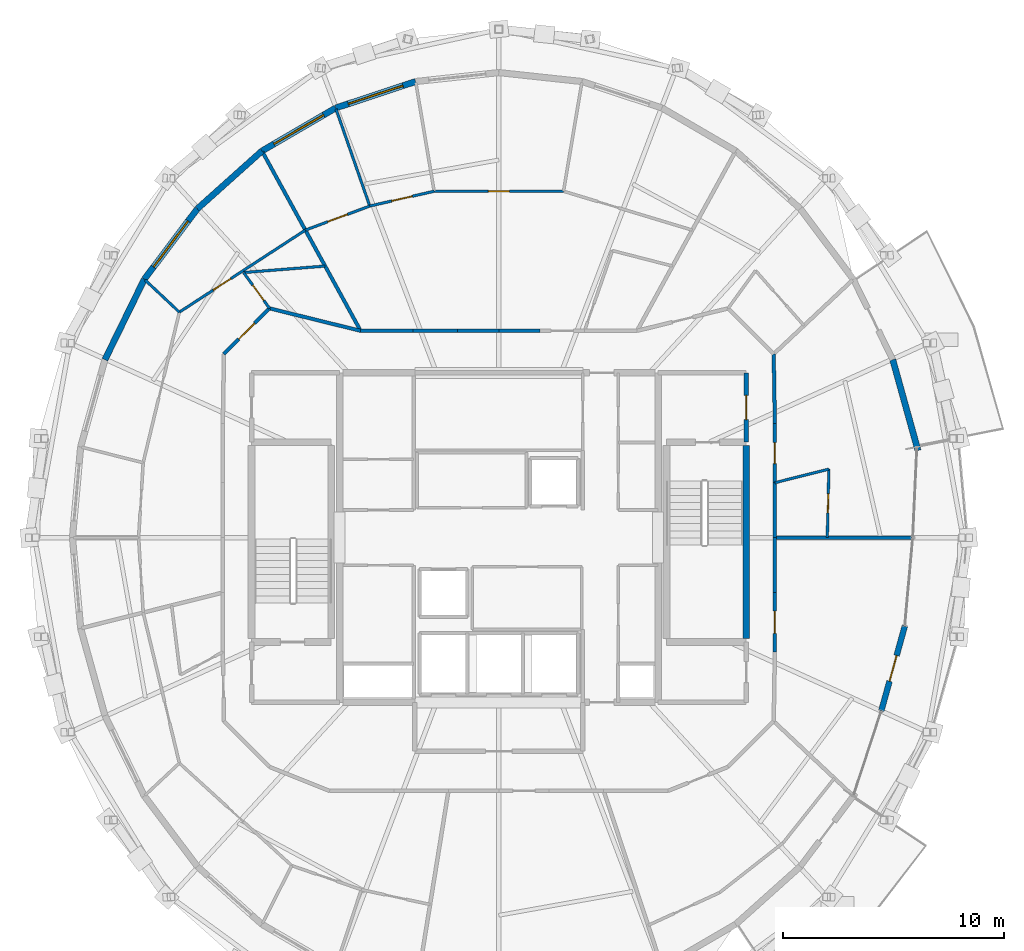
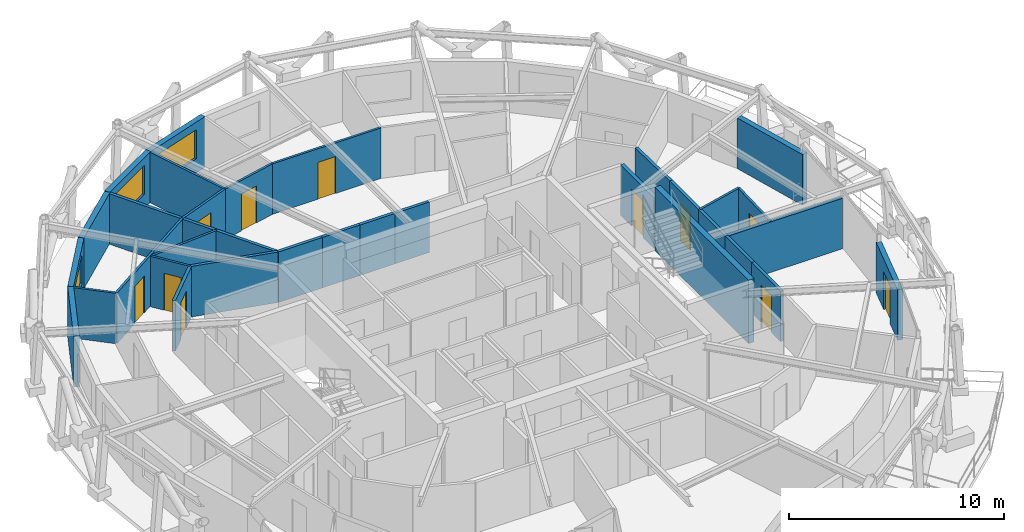
# One storey, part 10 of 12: 32 walls, 11 doors, 3 windows, 14 openings.
"""IFC4 building model written with IfcOpenShell, lengths in metres."""

from ifc_helpers import new_model, si_unit, direction, frame, frame_2d, origin, place, context, subcontext, project, spatial, rectangle, extrude, material, layer, layer_set, type_object, element, fill, save


model = new_model("IFC4")

# Units and contexts
model_context = context("Model", 3, precision=1e-05, world=origin(), true_north=direction((0.0, 1.0)))
body_context = subcontext(model_context, "Body", "Model", "MODEL_VIEW")
ifc_project = project(units=[si_unit("LENGTHUNIT", "METRE"), si_unit("AREAUNIT", "SQUARE_METRE"), si_unit("VOLUMEUNIT", "CUBIC_METRE"), si_unit("PLANEANGLEUNIT", "RADIAN"), si_unit("MASSUNIT", "GRAM", prefix="KILO")], contexts=[model_context])

# Site, building, storey
site_placement = place(None, origin())
site = spatial("IfcSite", under=ifc_project, at=site_placement, CompositionType="ELEMENT")
building_placement = place(site_placement, origin())
building = spatial("IfcBuilding", under=site, at=building_placement, Name="Veldorina Hangang Commons", CompositionType="ELEMENT")
storey_placement = place(building_placement, frame((0.0, 0.0, 272.39990234375)))
storey = spatial("IfcBuildingStorey", under=building, at=storey_placement, Name="L71", CompositionType="ELEMENT", Elevation=272.39990234375)

# Wall, opening, door
ifc_material_1 = material(Name="Stone Roman Travertine", Category="masonry")
ifc_layer_1 = layer(ifc_material_1, 0.260009765625)
ifc_layer_set_1 = layer_set([ifc_layer_1], Name="Stone Roman Travertine")
wall_type_1 = type_object("IfcWallType", Name="EW-LOGGIA-260", PredefinedType="STANDARD", material=ifc_layer_set_1)
wall_1_placement = place(storey_placement, frame((49.29150390625, 16.16845703125, 0.0), z_axis=(0.0, 0.0, 1.0), x_axis=(0.267356248741, 0.963597756462, 0.0)))
wall_1 = element("IfcWall", 1, at=wall_1_placement, inside=storey, type_object=wall_type_1, Name="L71 sky-garden loggia portal wall 30", PredefinedType="STANDARD", context=body_context, shape_type="SweptSolid", body=[
    extrude(rectangle(XDim=3.984130859375, YDim=0.260009765625, at=frame_2d((1.9921875, 0.0))), origin(), (0.0, 0.0, 1.0), 2.880126953125),
])
opening_1_placement = place(wall_1_placement, frame((1.39208984375, 0.0, 0.0)))
opening_1 = element("IfcOpeningElement", 2, at=opening_1_placement, cuts=wall_1, Name="Opening BD-1200", PredefinedType="OPENING", context=body_context, shape_type="SweptSolid", body=[
    extrude(rectangle(XDim=1.199951171875, YDim=2.14990234375, at=frame_2d((0.60009765625, 1.074951171875))), frame((0.0, 0.14013671875, 0.0), z_axis=(0.0, -1.0, 0.0), x_axis=(1.0, 0.0, 0.0)), (0.0, 0.0, 1.0), 0.280029296875),
])
ifc_material_2 = material(Name="Glass Thermal Aluminium Frame", Category="aluminium")
door_type_1 = type_object("IfcDoorType", Name="DR-EXT-LOG1200", OperationType="SINGLE_SWING_LEFT", PredefinedType="DOOR", material=ifc_material_2)
door_1_placement = place(opening_1_placement, origin())
door_1 = element("IfcDoor", 3, at=door_1_placement, inside=storey, type_object=door_type_1, Name="L71 loggia glazed exterior door 30", OperationType="SINGLE_SWING_LEFT", OverallHeight=2.14990234375, OverallWidth=1.199951171875, PredefinedType="DOOR", context=body_context, shape_type="SweptSolid", body=[
    extrude(rectangle(XDim=1.199951171875, YDim=2.14990234375, at=frame_2d((0.60009765625, 1.074951171875))), frame((0.0, 0.02490234375, 0.0), z_axis=(0.0, -1.0, 0.0), x_axis=(1.0, 0.0, 0.0)), (0.0, 0.0, 1.0), 0.050048828125),
])
fill(opening_1, door_1)

# Wall
ifc_layer_2 = layer(ifc_material_1, 0.280029296875)
ifc_layer_set_2 = layer_set([ifc_layer_2], Name="Stone Roman Travertine")
wall_type_2 = type_object("IfcWallType", Name="EW-TRAV-280", PredefinedType="STANDARD", material=ifc_layer_set_2)
wall_2_placement = place(storey_placement, frame((50.951416015625, 27.9384765625, 0.0), z_axis=(0.0, 0.0, 1.0), x_axis=(-0.26794510971, 0.963434179476, 0.0)))
element("IfcWall", 4, at=wall_2_placement, inside=storey, type_object=wall_type_2, Name="L71 travertine facade wall 01", PredefinedType="STANDARD", context=body_context, shape_type="SweptSolid", body=[
    extrude(rectangle(XDim=4.263427734375, YDim=0.280029296875, at=frame_2d((2.1318359375, 0.0))), origin(), (0.0, 0.0, 1.0), 2.880126953125),
])

# Wall, opening, window
wall_3_placement = place(storey_placement, frame((28.239501953125, 44.620849609375, 0.0), z_axis=(0.0, 0.0, 1.0), x_axis=(-0.949379621602, -0.314131077874, 0.0)))
wall_3 = element("IfcWall", 5, at=wall_3_placement, inside=storey, type_object=wall_type_2, Name="L71 travertine facade wall 09", PredefinedType="STANDARD", context=body_context, shape_type="SweptSolid", body=[
    extrude(rectangle(XDim=3.80908203125, YDim=0.280029296875, at=frame_2d((1.904541015625, 0.0))), origin(), (0.0, 0.0, 1.0), 2.880126953125),
])
opening_2_placement = place(wall_3_placement, frame((0.6044921875, 0.0, 0.800048828125)))
opening_2 = element("IfcOpeningElement", 6, at=opening_2_placement, cuts=wall_3, Name="Opening W-02", PredefinedType="OPENING", context=body_context, shape_type="SweptSolid", body=[
    extrude(rectangle(XDim=2.60009765625, YDim=1.64990234375, at=frame_2d((1.300048828125, 0.824951171875))), frame((0.0, 0.14990234375, 0.0), z_axis=(0.0, -1.0, 0.0), x_axis=(1.0, 0.0, 0.0)), (0.0, 0.0, 1.0), 0.300048828125),
])
ifc_material_3 = material(Name="Glass Low-E Triple IGU", Category="glass")
window_type = type_object("IfcWindowType", Name="WIN-TWR-2600", PartitioningType="SINGLE_PANEL", PredefinedType="WINDOW", material=ifc_material_3)
window_1_placement = place(opening_2_placement, origin())
window_1 = element("IfcWindow", 7, at=window_1_placement, inside=storey, type_object=window_type, Name="L71 facade window 09", OverallHeight=1.64990234375, OverallWidth=2.60009765625, PartitioningType="SINGLE_PANEL", PredefinedType="WINDOW", context=body_context, shape_type="SweptSolid", body=[
    extrude(rectangle(XDim=2.60009765625, YDim=1.64990234375, at=frame_2d((1.300048828125, 0.824951171875))), frame((0.0, 0.030029296875, 0.0), z_axis=(0.0, -1.0, 0.0), x_axis=(1.0, 0.0, 0.0)), (0.0, 0.0, 1.0), 0.06005859375),
])
fill(opening_2, window_1)

wall_4_placement = place(storey_placement, frame((24.623291015625, 43.42431640625, 0.0), z_axis=(0.0, 0.0, 1.0), x_axis=(-0.863902830528, -0.503658514677, 0.0)))
wall_4 = element("IfcWall", 8, at=wall_4_placement, inside=storey, type_object=wall_type_2, Name="L71 travertine facade wall 10", PredefinedType="STANDARD", context=body_context, shape_type="SweptSolid", body=[
    extrude(rectangle(XDim=3.857421875, YDim=0.280029296875, at=frame_2d((1.9287109375, 0.0))), origin(), (0.0, 0.0, 1.0), 2.880126953125),
])
opening_3_placement = place(wall_4_placement, frame((0.62890625, 0.0, 0.800048828125)))
opening_3 = element("IfcOpeningElement", 9, at=opening_3_placement, cuts=wall_4, Name="Opening W-02", PredefinedType="OPENING", context=body_context, shape_type="SweptSolid", body=[
    extrude(rectangle(XDim=2.60009765625, YDim=1.64990234375, at=frame_2d((1.300048828125, 0.824951171875))), frame((0.0, 0.14990234375, 0.0), z_axis=(0.0, -1.0, 0.0), x_axis=(1.0, 0.0, 0.0)), (0.0, 0.0, 1.0), 0.300048828125),
])
window_2_placement = place(opening_3_placement, origin())
window_2 = element("IfcWindow", 10, at=window_2_placement, inside=storey, type_object=window_type, Name="L71 facade window 10", OverallHeight=1.64990234375, OverallWidth=2.60009765625, PartitioningType="SINGLE_PANEL", PredefinedType="WINDOW", context=body_context, shape_type="SweptSolid", body=[
    extrude(rectangle(XDim=2.60009765625, YDim=1.64990234375, at=frame_2d((1.300048828125, 0.824951171875))), frame((0.0, 0.030029296875, 0.0), z_axis=(0.0, -1.0, 0.0), x_axis=(1.0, 0.0, 0.0)), (0.0, 0.0, 1.0), 0.06005859375),
])
fill(opening_3, window_2)

# Wall
wall_5_placement = place(storey_placement, frame((21.290771484375, 41.4814453125, 0.0), z_axis=(0.0, 0.0, 1.0), x_axis=(-0.745102858602, -0.666949570884, 0.0)))
element("IfcWall", 11, at=wall_5_placement, inside=storey, type_object=wall_type_2, Name="L71 travertine facade wall 11", PredefinedType="STANDARD", context=body_context, shape_type="SweptSolid", body=[
    extrude(rectangle(XDim=3.92041015625, YDim=0.280029296875, at=frame_2d((1.960205078125, 0.0))), origin(), (0.0, 0.0, 1.0), 2.880126953125),
])

# Wall, opening, window
wall_6_placement = place(storey_placement, frame((18.36962890625, 38.86669921875, 0.0), z_axis=(0.0, 0.0, 1.0), x_axis=(-0.601263134617, -0.799051089074, 0.0)))
wall_6 = element("IfcWall", 12, at=wall_6_placement, inside=storey, type_object=wall_type_2, Name="L71 travertine facade wall 12", PredefinedType="STANDARD", context=body_context, shape_type="SweptSolid", body=[
    extrude(rectangle(XDim=3.987060546875, YDim=0.280029296875, at=frame_2d((1.99365234375, 0.0))), origin(), (0.0, 0.0, 1.0), 2.880126953125),
])
opening_4_placement = place(wall_6_placement, frame((0.693603515625, 0.0, 0.800048828125)))
opening_4 = element("IfcOpeningElement", 13, at=opening_4_placement, cuts=wall_6, Name="Opening W-02", PredefinedType="OPENING", context=body_context, shape_type="SweptSolid", body=[
    extrude(rectangle(XDim=2.60009765625, YDim=1.64990234375, at=frame_2d((1.300048828125, 0.824951171875))), frame((0.0, 0.14990234375, 0.0), z_axis=(0.0, -1.0, 0.0), x_axis=(1.0, 0.0, 0.0)), (0.0, 0.0, 1.0), 0.300048828125),
])
window_3_placement = place(opening_4_placement, origin())
window_3 = element("IfcWindow", 14, at=window_3_placement, inside=storey, type_object=window_type, Name="L71 facade window 12", OverallHeight=1.64990234375, OverallWidth=2.60009765625, PartitioningType="SINGLE_PANEL", PredefinedType="WINDOW", context=body_context, shape_type="SweptSolid", body=[
    extrude(rectangle(XDim=2.60009765625, YDim=1.64990234375, at=frame_2d((1.300048828125, 0.824951171875))), frame((0.0, 0.030029296875, 0.0), z_axis=(0.0, -1.0, 0.0), x_axis=(1.0, 0.0, 0.0)), (0.0, 0.0, 1.0), 0.06005859375),
])
fill(opening_4, window_3)

# Walls
wall_7_placement = place(storey_placement, frame((15.972412109375, 35.680908203125, 0.0), z_axis=(0.0, 0.0, 1.0), x_axis=(-0.440082846758, -0.897957174919, 0.0)))
element("IfcWall", 15, at=wall_7_placement, inside=storey, type_object=wall_type_2, Name="L71 travertine facade wall 13", PredefinedType="STANDARD", context=body_context, shape_type="SweptSolid", body=[
    extrude(rectangle(XDim=4.048095703125, YDim=0.280029296875, at=frame_2d((2.02392578125, 0.0))), origin(), (0.0, 0.0, 1.0), 2.880126953125),
])
ifc_material_4 = material(Name="Concrete C50/60", Category="concrete")
ifc_layer_3 = layer(ifc_material_4, 0.300048828125)
ifc_layer_set_3 = layer_set([ifc_layer_3], Name="Concrete C50/60")
wall_type_3 = type_object("IfcWallType", Name="SW-STAIR-300", PredefinedType="SHEAR", material=ifc_layer_set_3)
wall_8_placement = place(storey_placement, frame((43.179931640625, 19.429931640625, 0.0), z_axis=(0.0, 0.0, 1.0), x_axis=(0.0, 1.0, 0.0)))
element("IfcWall", 16, at=wall_8_placement, inside=storey, type_object=wall_type_3, Name="L71 ST2 outer stair shear wall", PredefinedType="SHEAR", context=body_context, shape_type="SweptSolid", body=[
    extrude(rectangle(XDim=8.739990234375, YDim=0.300048828125, at=frame_2d((4.3701171875, 0.0))), origin(), (0.0, 0.0, 1.0), 3.60009765625),
])
ifc_material_5 = material(Name="Gypsum Fire-Rated Twin Stud Wall", Category="gypsum")
ifc_layer_4 = layer(ifc_material_5, 0.159912109375)
ifc_layer_set_4 = layer_set([ifc_layer_4], Name="Gypsum Fire-Rated Twin Stud Wall")
wall_type_4 = type_object("IfcWallType", Name="WL-FIRE-160", PredefinedType="SOLIDWALL", material=ifc_layer_set_4)
wall_9_placement = place(storey_placement, frame((44.47998046875, 24.0, 0.0), z_axis=(0.0, 0.0, 1.0), x_axis=(0.0, 1.0, 0.0)))
element("IfcWall", 17, at=wall_9_placement, inside=storey, type_object=wall_type_4, Name="L71 Compact collar outer wall 00 052", PredefinedType="SOLIDWALL", context=body_context, shape_type="SweptSolid", body=[
    extrude(rectangle(XDim=2.482421875, YDim=0.159912109375, at=frame_2d((1.2412109375, 0.0))), origin(), (0.0, 0.0, 1.0), 2.8701171875),
])

# Wall, opening, door
wall_10_placement = place(storey_placement, frame((44.47998046875, 26.482421875, 0.0), z_axis=(0.0, 0.0, 1.0), x_axis=(0.0, 1.0, 0.0)))
wall_10 = element("IfcWall", 18, at=wall_10_placement, inside=storey, type_object=wall_type_4, Name="L71 Compact collar outer wall 01 053", PredefinedType="SOLIDWALL", context=body_context, shape_type="SweptSolid", body=[
    extrude(rectangle(XDim=2.68701171875, YDim=0.159912109375, at=frame_2d((1.343505859375, 0.0))), origin(), (0.0, 0.0, 1.0), 2.8701171875),
])
opening_5_placement = place(wall_10_placement, frame((0.868408203125, 0.0, 0.0)))
opening_5 = element("IfcOpeningElement", 19, at=opening_5_placement, cuts=wall_10, Name="Opening D-03", PredefinedType="OPENING", context=body_context, shape_type="SweptSolid", body=[
    extrude(rectangle(XDim=0.949951171875, YDim=2.10009765625, at=frame_2d((0.47509765625, 1.050048828125))), frame((0.0, 0.08984375, 0.0), z_axis=(0.0, -1.0, 0.0), x_axis=(1.0, 0.0, 0.0)), (0.0, 0.0, 1.0), 0.179931640625),
])
ifc_material_6 = material(Name="Timber Fire-Rated Entrance Core", Category="wood")
door_type_2 = type_object("IfcDoorType", Name="DR-UNIT-950", OperationType="SINGLE_SWING_RIGHT", PredefinedType="DOOR", material=ifc_material_6)
door_2_placement = place(opening_5_placement, origin())
door_2 = element("IfcDoor", 20, at=door_2_placement, inside=storey, type_object=door_type_2, Name="L71 Studio 2 entrance door 022", OperationType="SINGLE_SWING_RIGHT", OverallHeight=2.10009765625, OverallWidth=0.949951171875, PredefinedType="DOOR", context=body_context, shape_type="SweptSolid", body=[
    extrude(rectangle(XDim=0.949951171875, YDim=2.10009765625, at=frame_2d((0.47509765625, 1.050048828125))), frame((0.0, 0.02490234375, 0.0), z_axis=(0.0, -1.0, 0.0), x_axis=(1.0, 0.0, 0.0)), (0.0, 0.0, 1.0), 0.050048828125),
])
fill(opening_5, door_2)

# Walls
wall_11_placement = place(storey_placement, frame((44.47998046875, 29.16943359375, 0.0), z_axis=(0.0, 0.0, 1.0), x_axis=(-0.016981035134, 0.999855811828, 0.0)))
element("IfcWall", 21, at=wall_11_placement, inside=storey, type_object=wall_type_4, Name="L71 Compact collar outer wall 02 054", PredefinedType="SOLIDWALL", context=body_context, shape_type="SweptSolid", body=[
    extrude(rectangle(XDim=3.13427734375, YDim=0.159912109375, at=frame_2d((1.567138671875, 0.0))), origin(), (0.0, 0.0, 1.0), 2.8701171875),
])
for number, where, z_axis, x_axis, name in (
    (22, (33.85986328125, 33.35009765625, 0.0), (0.0, 0.0, 1.0), (-1.0, 0.0, 0.0), "L71 Compact collar outer wall 07 059"),
    (23, (32.0, 33.35009765625, 0.0), (0.0, 0.0, 1.0), (-1.0, 0.0, 0.0), "L71 Compact collar outer wall 08 060"),
):
    element("IfcWall", number, at=place(storey_placement, frame(where, z_axis=z_axis, x_axis=x_axis)), inside=storey, type_object=wall_type_4, Name=name, PredefinedType="SOLIDWALL", context=body_context, shape_type="SweptSolid", body=[
        extrude(rectangle(XDim=1.85986328125, YDim=0.159912109375, at=frame_2d((0.929931640625, 0.0))), origin(), (0.0, 0.0, 1.0), 2.8701171875),
    ])
wall_12_placement = place(storey_placement, frame((30.14013671875, 33.35009765625, 0.0), z_axis=(0.0, 0.0, 1.0), x_axis=(-1.0, 0.0, 0.0)))
element("IfcWall", 24, at=wall_12_placement, inside=storey, type_object=wall_type_4, Name="L71 Compact collar outer wall 09 061", PredefinedType="SOLIDWALL", context=body_context, shape_type="SweptSolid", body=[
    extrude(rectangle(XDim=2.012939453125, YDim=0.159912109375, at=frame_2d((1.00634765625, 0.0))), origin(), (0.0, 0.0, 1.0), 2.8701171875),
])
wall_13_placement = place(storey_placement, frame((28.127197265625, 33.35009765625, 0.0), z_axis=(0.0, 0.0, 1.0), x_axis=(-1.0, 0.0, 0.0)))
element("IfcWall", 25, at=wall_13_placement, inside=storey, type_object=wall_type_4, Name="L71 Compact collar outer wall 10 062", PredefinedType="SOLIDWALL", context=body_context, shape_type="SweptSolid", body=[
    extrude(rectangle(XDim=2.374755859375, YDim=0.159912109375, at=frame_2d((1.1875, 0.0))), origin(), (0.0, 0.0, 1.0), 2.8701171875),
])
wall_14_placement = place(storey_placement, frame((25.75244140625, 33.35009765625, 0.0), z_axis=(0.0, 0.0, 1.0), x_axis=(-0.970939799552, 0.239323850978, 0.0)))
element("IfcWall", 26, at=wall_14_placement, inside=storey, type_object=wall_type_4, Name="L71 Compact collar outer wall 11 063", PredefinedType="SOLIDWALL", context=body_context, shape_type="SweptSolid", body=[
    extrude(rectangle(XDim=4.24072265625, YDim=0.159912109375, at=frame_2d((2.120361328125, 0.0))), origin(), (0.0, 0.0, 1.0), 2.8701171875),
])

# Wall, opening, door
wall_15_placement = place(storey_placement, frame((21.635009765625, 34.364990234375, 0.0), z_axis=(0.0, 0.0, 1.0), x_axis=(-0.707106781187, -0.707106781187, 0.0)))
wall_15 = element("IfcWall", 27, at=wall_15_placement, inside=storey, type_object=wall_type_4, Name="L71 Compact collar outer wall 12 064", PredefinedType="SOLIDWALL", context=body_context, shape_type="SweptSolid", body=[
    extrude(rectangle(XDim=2.915771484375, YDim=0.159912109375, at=frame_2d((1.4580078125, 0.0))), origin(), (0.0, 0.0, 1.0), 2.8701171875),
])
opening_6_placement = place(wall_15_placement, frame((0.9580078125, 0.0, 0.0)))
opening_6 = element("IfcOpeningElement", 28, at=opening_6_placement, cuts=wall_15, Name="Opening D-06", PredefinedType="OPENING", context=body_context, shape_type="SweptSolid", body=[
    extrude(rectangle(XDim=1.0, YDim=2.10009765625, at=frame_2d((0.5, 1.050048828125))), frame((0.0, 0.08984375, 0.0), z_axis=(0.0, -1.0, 0.0), x_axis=(1.0, 0.0, 0.0)), (0.0, 0.0, 1.0), 0.179931640625),
])
door_type_3 = type_object("IfcDoorType", Name="DR-UNIT-1000", OperationType="SINGLE_SWING_LEFT", PredefinedType="DOOR", material=ifc_material_6)
door_3_placement = place(opening_6_placement, origin())
door_3 = element("IfcDoor", 29, at=door_3_placement, inside=storey, type_object=door_type_3, Name="L71 Cluster 5 entrance door 032", OperationType="SINGLE_SWING_RIGHT", OverallHeight=2.10009765625, OverallWidth=1.0, PredefinedType="DOOR", context=body_context, shape_type="SweptSolid", body=[
    extrude(rectangle(XDim=1.0, YDim=2.10009765625, at=frame_2d((0.5, 1.050048828125))), frame((0.0, 0.02490234375, 0.0), z_axis=(0.0, -1.0, 0.0), x_axis=(1.0, 0.0, 0.0)), (0.0, 0.0, 1.0), 0.050048828125),
])
fill(opening_6, door_3)

wall_16_placement = place(storey_placement, frame((44.47998046875, 18.83056640625, 0.0), z_axis=(0.0, 0.0, 1.0), x_axis=(0.0, 1.0, 0.0)))
wall_16 = element("IfcWall", 30, at=wall_16_placement, inside=storey, type_object=wall_type_4, Name="L71 Compact collar outer wall 30 082", PredefinedType="SOLIDWALL", context=body_context, shape_type="SweptSolid", body=[
    extrude(rectangle(XDim=2.68701171875, YDim=0.159912109375, at=frame_2d((1.343505859375, 0.0))), origin(), (0.0, 0.0, 1.0), 2.8701171875),
])
opening_7_placement = place(wall_16_placement, frame((0.843505859375, 0.0, 0.0)))
opening_7 = element("IfcOpeningElement", 31, at=opening_7_placement, cuts=wall_16, Name="Opening D-05", PredefinedType="OPENING", context=body_context, shape_type="SweptSolid", body=[
    extrude(rectangle(XDim=1.0, YDim=2.10009765625, at=frame_2d((0.5, 1.050048828125))), frame((0.0, 0.08984375, 0.0), z_axis=(0.0, -1.0, 0.0), x_axis=(1.0, 0.0, 0.0)), (0.0, 0.0, 1.0), 0.179931640625),
])
ifc_material_7 = material(Name="Timber Solid Core Acoustic", Category="wood")
door_type_4 = type_object("IfcDoorType", Name="DR-INT-1000", OperationType="SINGLE_SWING_RIGHT", PredefinedType="DOOR", material=ifc_material_7)
door_4_placement = place(opening_7_placement, origin())
door_4 = element("IfcDoor", 32, at=door_4_placement, inside=storey, type_object=door_type_4, Name="L71 Sky-Garden Commons Lounge door 020", OperationType="SINGLE_SWING_RIGHT", OverallHeight=2.10009765625, OverallWidth=1.0, PredefinedType="DOOR", context=body_context, shape_type="SweptSolid", body=[
    extrude(rectangle(XDim=1.0, YDim=2.10009765625, at=frame_2d((0.5, 1.050048828125))), frame((0.0, 0.02490234375, 0.0), z_axis=(0.0, -1.0, 0.0), x_axis=(1.0, 0.0, 0.0)), (0.0, 0.0, 1.0), 0.050048828125),
])
fill(opening_7, door_4)

# Walls
wall_17_placement = place(storey_placement, frame((44.47998046875, 21.517578125, 0.0), z_axis=(0.0, 0.0, 1.0), x_axis=(0.0, 1.0, 0.0)))
element("IfcWall", 33, at=wall_17_placement, inside=storey, type_object=wall_type_4, Name="L71 Compact collar outer wall 31 083", PredefinedType="SOLIDWALL", context=body_context, shape_type="SweptSolid", body=[
    extrude(rectangle(XDim=2.482421875, YDim=0.159912109375, at=frame_2d((1.2412109375, 0.0))), origin(), (0.0, 0.0, 1.0), 2.8701171875),
])
wall_18_placement = place(storey_placement, frame((44.47998046875, 24.0, 0.0), z_axis=(0.0, 0.0, 1.0), x_axis=(1.0, 0.0, 0.0)))
element("IfcWall", 34, at=wall_18_placement, inside=storey, type_object=wall_type_4, Name="L71 Unit party wall 00 085", PredefinedType="SOLIDWALL", context=body_context, shape_type="SweptSolid", body=[
    extrude(rectangle(XDim=6.186279296875, YDim=0.159912109375, at=frame_2d((3.09326171875, 0.0))), origin(), (0.0, 0.0, 1.0), 2.8701171875),
])
wall_19_placement = place(storey_placement, frame((25.75244140625, 33.35009765625, 0.0), z_axis=(0.0, 0.0, 1.0), x_axis=(-0.481047870731, 0.876694328751, 0.0)))
element("IfcWall", 35, at=wall_19_placement, inside=storey, type_object=wall_type_4, Name="L71 Unit party wall 11 101", PredefinedType="SOLIDWALL", context=body_context, shape_type="SweptSolid", body=[
    extrude(rectangle(XDim=9.22509765625, YDim=0.159912109375, at=frame_2d((4.612548828125, 0.0))), origin(), (0.0, 0.0, 1.0), 2.8701171875),
])

# Wall, opening, door
ifc_material_8 = material(Name="Concrete Blockwork Fire Wall C30/37", Category="masonry")
ifc_layer_5 = layer(ifc_material_8, 0.199951171875)
ifc_layer_set_5 = layer_set([ifc_layer_5], Name="Concrete Blockwork Fire Wall C30/37")
wall_type_5 = type_object("IfcWallType", Name="WL-FIRE-200", PredefinedType="SOLIDWALL", material=ifc_layer_set_5)
wall_20_placement = place(storey_placement, frame((43.179931640625, 28.320068359375, 0.0), z_axis=(0.0, 0.0, 1.0), x_axis=(0.0, 1.0, 0.0)))
wall_20 = element("IfcWall", 36, at=wall_20_placement, inside=storey, type_object=wall_type_5, Name="L71 East vestibule outer wall 003", PredefinedType="SOLIDWALL", context=body_context, shape_type="SweptSolid", body=[
    extrude(rectangle(XDim=3.1298828125, YDim=0.199951171875, at=frame_2d((1.56494140625, 0.0))), origin(), (0.0, 0.0, 1.0), 2.8701171875),
])
opening_8_placement = place(wall_20_placement, frame((1.014892578125, 0.0, 0.0)))
opening_8 = element("IfcOpeningElement", 37, at=opening_8_placement, cuts=wall_20, Name="Opening D-08", PredefinedType="OPENING", context=body_context, shape_type="SweptSolid", body=[
    extrude(rectangle(XDim=1.10009765625, YDim=2.10009765625, at=frame_2d((0.550048828125, 1.050048828125))), frame((0.0, 0.10986328125, 0.0), z_axis=(0.0, -1.0, 0.0), x_axis=(1.0, 0.0, 0.0)), (0.0, 0.0, 1.0), 0.219970703125),
])
ifc_material_9 = material(Name="Steel Fire-Rated Smoke Seal", Category="steel")
door_type_5 = type_object("IfcDoorType", Name="DR-FIRE-1100", OperationType="SINGLE_SWING_RIGHT", PredefinedType="DOOR", material=ifc_material_9)
door_5_placement = place(opening_8_placement, origin())
door_5 = element("IfcDoor", 38, at=door_5_placement, inside=storey, type_object=door_type_5, Name="L71 East vestibule east door 002", OperationType="SINGLE_SWING_RIGHT", OverallHeight=2.10009765625, OverallWidth=1.10009765625, PredefinedType="DOOR", context=body_context, shape_type="SweptSolid", body=[
    extrude(rectangle(XDim=1.10009765625, YDim=2.10009765625, at=frame_2d((0.550048828125, 1.050048828125))), frame((0.0, 0.02490234375, 0.0), z_axis=(0.0, -1.0, 0.0), x_axis=(1.0, 0.0, 0.0)), (0.0, 0.0, 1.0), 0.050048828125),
])
fill(opening_8, door_5)

ifc_material_10 = material(Name="Gypsum Acoustic Stud Partition", Category="gypsum")
ifc_layer_6 = layer(ifc_material_10, 0.1201171875)
ifc_layer_set_6 = layer_set([ifc_layer_6], Name="Gypsum Acoustic Stud Partition")
wall_type_6 = type_object("IfcWallType", Name="WL-PART-120", PredefinedType="PARTITIONING", material=ifc_layer_set_6)
wall_21_placement = place(storey_placement, frame((46.849853515625, 24.0, 0.0), z_axis=(0.0, 0.0, 1.0), x_axis=(0.023244033511, 0.999729820955, 0.0)))
wall_21 = element("IfcWall", 39, at=wall_21_placement, inside=storey, type_object=wall_type_6, Name="L71 Studio 2 bath front wall 086", PredefinedType="PARTITIONING", context=body_context, shape_type="SweptSolid", body=[
    extrude(rectangle(XDim=3.098388671875, YDim=0.1201171875, at=frame_2d((1.54931640625, 0.0))), origin(), (0.0, 0.0, 1.0), 2.8701171875),
])
opening_9_placement = place(wall_21_placement, frame((1.119384765625, 0.0, 0.0)))
opening_9 = element("IfcOpeningElement", 40, at=opening_9_placement, cuts=wall_21, Name="Opening D-01", PredefinedType="OPENING", context=body_context, shape_type="SweptSolid", body=[
    extrude(rectangle(XDim=0.860107421875, YDim=2.10009765625, at=frame_2d((0.43017578125, 1.050048828125))), frame((0.0, 0.070068359375, 0.0), z_axis=(0.0, -1.0, 0.0), x_axis=(1.0, 0.0, 0.0)), (0.0, 0.0, 1.0), 0.14013671875),
])
ifc_material_11 = material(Name="Timber Moisture-Resistant Core", Category="wood")
door_type_6 = type_object("IfcDoorType", Name="DR-WET-860", OperationType="SINGLE_SWING_LEFT", PredefinedType="DOOR", material=ifc_material_11)
door_6_placement = place(opening_9_placement, origin())
door_6 = element("IfcDoor", 41, at=door_6_placement, inside=storey, type_object=door_type_6, Name="L71 Studio 2 bathroom door 021", OperationType="SINGLE_SWING_LEFT", OverallHeight=2.10009765625, OverallWidth=0.860107421875, PredefinedType="DOOR", context=body_context, shape_type="SweptSolid", body=[
    extrude(rectangle(XDim=0.860107421875, YDim=2.10009765625, at=frame_2d((0.43017578125, 1.050048828125))), frame((0.0, 0.02490234375, 0.0), z_axis=(0.0, -1.0, 0.0), x_axis=(1.0, 0.0, 0.0)), (0.0, 0.0, 1.0), 0.050048828125),
])
fill(opening_9, door_6)

# Wall
wall_22_placement = place(storey_placement, frame((44.47998046875, 26.482421875, 0.0), z_axis=(0.0, 0.0, 1.0), x_axis=(0.96969603804, 0.244314538678, 0.0)))
element("IfcWall", 42, at=wall_22_placement, inside=storey, type_object=wall_type_6, Name="L71 Studio 2 bath side wall 087", PredefinedType="PARTITIONING", context=body_context, shape_type="SweptSolid", body=[
    extrude(rectangle(XDim=2.518310546875, YDim=0.1201171875, at=frame_2d((1.25927734375, 0.0))), origin(), (0.0, 0.0, 1.0), 2.8701171875),
])

# Wall, opening, door
wall_23_placement = place(storey_placement, frame((34.92431640625, 39.66162109375, 0.0), z_axis=(0.0, 0.0, 1.0), x_axis=(-1.0, 0.0, 0.0)))
wall_23 = element("IfcWall", 43, at=wall_23_placement, inside=storey, type_object=wall_type_6, Name="L71 Cluster 4 bed 2 front wall 095", PredefinedType="PARTITIONING", context=body_context, shape_type="SweptSolid", body=[
    extrude(rectangle(XDim=5.8486328125, YDim=0.1201171875, at=frame_2d((2.92431640625, 0.0))), origin(), (0.0, 0.0, 1.0), 2.8701171875),
])
opening_10_placement = place(wall_23_placement, frame((2.44921875, 0.0, 0.0)))
opening_10 = element("IfcOpeningElement", 44, at=opening_10_placement, cuts=wall_23, Name="Opening D-02", PredefinedType="OPENING", context=body_context, shape_type="SweptSolid", body=[
    extrude(rectangle(XDim=0.949951171875, YDim=2.10009765625, at=frame_2d((0.47509765625, 1.050048828125))), frame((0.0, 0.070068359375, 0.0), z_axis=(0.0, -1.0, 0.0), x_axis=(1.0, 0.0, 0.0)), (0.0, 0.0, 1.0), 0.14013671875),
])
door_type_7 = type_object("IfcDoorType", Name="DR-INT-950", OperationType="SINGLE_SWING_LEFT", PredefinedType="DOOR", material=ifc_material_7)
door_7_placement = place(opening_10_placement, origin())
door_7 = element("IfcDoor", 45, at=door_7_placement, inside=storey, type_object=door_type_7, Name="L71 Cluster 4 bed 2 door 028", OperationType="SINGLE_SWING_RIGHT", OverallHeight=2.10009765625, OverallWidth=0.949951171875, PredefinedType="DOOR", context=body_context, shape_type="SweptSolid", body=[
    extrude(rectangle(XDim=0.949951171875, YDim=2.10009765625, at=frame_2d((0.47509765625, 1.050048828125))), frame((0.0, 0.02490234375, 0.0), z_axis=(0.0, -1.0, 0.0), x_axis=(1.0, 0.0, 0.0)), (0.0, 0.0, 1.0), 0.050048828125),
])
fill(opening_10, door_7)

wall_24_placement = place(storey_placement, frame((29.07568359375, 39.66162109375, 0.0), z_axis=(0.0, 0.0, 1.0), x_axis=(-0.974520534464, -0.224298301172, 0.0)))
wall_24 = element("IfcWall", 46, at=wall_24_placement, inside=storey, type_object=wall_type_6, Name="L71 Cluster 4 bed 3 front wall 097", PredefinedType="PARTITIONING", context=body_context, shape_type="SweptSolid", body=[
    extrude(rectangle(XDim=2.98681640625, YDim=0.1201171875, at=frame_2d((1.493408203125, 0.0))), origin(), (0.0, 0.0, 1.0), 2.8701171875),
])
opening_11_placement = place(wall_24_placement, frame((1.0185546875, 0.0, 0.0)))
opening_11 = element("IfcOpeningElement", 47, at=opening_11_placement, cuts=wall_24, Name="Opening D-02", PredefinedType="OPENING", context=body_context, shape_type="SweptSolid", body=[
    extrude(rectangle(XDim=0.949951171875, YDim=2.10009765625, at=frame_2d((0.47509765625, 1.050048828125))), frame((0.0, 0.070068359375, 0.0), z_axis=(0.0, -1.0, 0.0), x_axis=(1.0, 0.0, 0.0)), (0.0, 0.0, 1.0), 0.14013671875),
])
door_8_placement = place(opening_11_placement, origin())
door_8 = element("IfcDoor", 48, at=door_8_placement, inside=storey, type_object=door_type_7, Name="L71 Cluster 4 bed 3 door 029", OperationType="SINGLE_SWING_LEFT", OverallHeight=2.10009765625, OverallWidth=0.949951171875, PredefinedType="DOOR", context=body_context, shape_type="SweptSolid", body=[
    extrude(rectangle(XDim=0.949951171875, YDim=2.10009765625, at=frame_2d((0.47509765625, 1.050048828125))), frame((0.0, 0.02490234375, 0.0), z_axis=(0.0, -1.0, 0.0), x_axis=(1.0, 0.0, 0.0)), (0.0, 0.0, 1.0), 0.050048828125),
])
fill(opening_11, door_8)

wall_25_placement = place(storey_placement, frame((26.1650390625, 38.99169921875, 0.0), z_axis=(0.0, 0.0, 1.0), x_axis=(-0.936703131721, -0.350124610708, 0.0)))
wall_25 = element("IfcWall", 49, at=wall_25_placement, inside=storey, type_object=wall_type_6, Name="L71 Cluster 4 bed 4 front wall 099", PredefinedType="PARTITIONING", context=body_context, shape_type="SweptSolid", body=[
    extrude(rectangle(XDim=3.10791015625, YDim=0.1201171875, at=frame_2d((1.553955078125, 0.0))), origin(), (0.0, 0.0, 1.0), 2.8701171875),
])
opening_12_placement = place(wall_25_placement, frame((1.078857421875, 0.0, 0.0)))
opening_12 = element("IfcOpeningElement", 50, at=opening_12_placement, cuts=wall_25, Name="Opening D-02", PredefinedType="OPENING", context=body_context, shape_type="SweptSolid", body=[
    extrude(rectangle(XDim=0.949951171875, YDim=2.10009765625, at=frame_2d((0.47509765625, 1.050048828125))), frame((0.0, 0.070068359375, 0.0), z_axis=(0.0, -1.0, 0.0), x_axis=(1.0, 0.0, 0.0)), (0.0, 0.0, 1.0), 0.14013671875),
])
door_9_placement = place(opening_12_placement, origin())
door_9 = element("IfcDoor", 51, at=door_9_placement, inside=storey, type_object=door_type_7, Name="L71 Cluster 4 bed 4 door 030", OperationType="SINGLE_SWING_RIGHT", OverallHeight=2.10009765625, OverallWidth=0.949951171875, PredefinedType="DOOR", context=body_context, shape_type="SweptSolid", body=[
    extrude(rectangle(XDim=0.949951171875, YDim=2.10009765625, at=frame_2d((0.47509765625, 1.050048828125))), frame((0.0, 0.02490234375, 0.0), z_axis=(0.0, -1.0, 0.0), x_axis=(1.0, 0.0, 0.0)), (0.0, 0.0, 1.0), 0.050048828125),
])
fill(opening_12, door_9)

# Walls
wall_26_placement = place(storey_placement, frame((26.1650390625, 38.99169921875, 0.0), z_axis=(0.0, 0.0, 1.0), x_axis=(-0.328520624941, 0.944496796706, 0.0)))
element("IfcWall", 52, at=wall_26_placement, inside=storey, type_object=wall_type_6, Name="L71 Cluster 4 bed divider 3 100", PredefinedType="PARTITIONING", context=body_context, shape_type="SweptSolid", body=[
    extrude(rectangle(XDim=4.643310546875, YDim=0.1201171875, at=frame_2d((2.32177734375, 0.0))), origin(), (0.0, 0.0, 1.0), 2.8701171875),
])
wall_27_placement = place(storey_placement, frame((24.146240234375, 36.27734375, 0.0), z_axis=(0.0, 0.0, 1.0), x_axis=(-0.996883547488, -0.078887215366, 0.0)))
element("IfcWall", 53, at=wall_27_placement, inside=storey, type_object=wall_type_6, Name="L71 Cluster 5 bath front wall 102", PredefinedType="PARTITIONING", context=body_context, shape_type="SweptSolid", body=[
    extrude(rectangle(XDim=3.6982421875, YDim=0.1201171875, at=frame_2d((1.84912109375, 0.0))), origin(), (0.0, 0.0, 1.0), 2.8701171875),
])

# Wall, opening, door
wall_28_placement = place(storey_placement, frame((21.635009765625, 34.364990234375, 0.0), z_axis=(0.0, 0.0, 1.0), x_axis=(-0.587163385074, 0.809468442392, 0.0)))
wall_28 = element("IfcWall", 54, at=wall_28_placement, inside=storey, type_object=wall_type_6, Name="L71 Cluster 5 bath side wall 103", PredefinedType="PARTITIONING", context=body_context, shape_type="SweptSolid", body=[
    extrude(rectangle(XDim=2.001953125, YDim=0.1201171875, at=frame_2d((1.0009765625, 0.0))), origin(), (0.0, 0.0, 1.0), 2.8701171875),
])
opening_13_placement = place(wall_28_placement, frame((0.43994140625, 0.0, 0.0)))
opening_13 = element("IfcOpeningElement", 55, at=opening_13_placement, cuts=wall_28, Name="Opening D-01", PredefinedType="OPENING", context=body_context, shape_type="SweptSolid", body=[
    extrude(rectangle(XDim=0.860107421875, YDim=2.10009765625, at=frame_2d((0.43017578125, 1.050048828125))), frame((0.0, 0.070068359375, 0.0), z_axis=(0.0, -1.0, 0.0), x_axis=(1.0, 0.0, 0.0)), (0.0, 0.0, 1.0), 0.14013671875),
])
door_10_placement = place(opening_13_placement, origin())
door_10 = element("IfcDoor", 56, at=door_10_placement, inside=storey, type_object=door_type_6, Name="L71 Cluster 5 shared bathroom door 031", OperationType="SINGLE_SWING_LEFT", OverallHeight=2.10009765625, OverallWidth=0.860107421875, PredefinedType="DOOR", context=body_context, shape_type="SweptSolid", body=[
    extrude(rectangle(XDim=0.860107421875, YDim=2.10009765625, at=frame_2d((0.43017578125, 1.050048828125))), frame((0.0, 0.02490234375, 0.0), z_axis=(0.0, -1.0, 0.0), x_axis=(1.0, 0.0, 0.0)), (0.0, 0.0, 1.0), 0.050048828125),
])
fill(opening_13, door_10)

wall_29_placement = place(storey_placement, frame((23.25390625, 37.903564453125, 0.0), z_axis=(0.0, 0.0, 1.0), x_axis=(-0.838056129328, -0.545584021115, 0.0)))
wall_29 = element("IfcWall", 57, at=wall_29_placement, inside=storey, type_object=wall_type_6, Name="L71 Cluster 5 bed 1 front wall 104", PredefinedType="PARTITIONING", context=body_context, shape_type="SweptSolid", body=[
    extrude(rectangle(XDim=6.798095703125, YDim=0.1201171875, at=frame_2d((3.39892578125, 0.0))), origin(), (0.0, 0.0, 1.0), 2.8701171875),
])
opening_14_placement = place(wall_29_placement, frame((4.01708984375, 0.0, 0.0)))
opening_14 = element("IfcOpeningElement", 58, at=opening_14_placement, cuts=wall_29, Name="Opening D-02", PredefinedType="OPENING", context=body_context, shape_type="SweptSolid", body=[
    extrude(rectangle(XDim=0.949951171875, YDim=2.10009765625, at=frame_2d((0.47509765625, 1.050048828125))), frame((0.0, 0.070068359375, 0.0), z_axis=(0.0, -1.0, 0.0), x_axis=(1.0, 0.0, 0.0)), (0.0, 0.0, 1.0), 0.14013671875),
])
door_11_placement = place(opening_14_placement, origin())
door_11 = element("IfcDoor", 59, at=door_11_placement, inside=storey, type_object=door_type_7, Name="L71 Cluster 5 bed 1 door 033", OperationType="SINGLE_SWING_LEFT", OverallHeight=2.10009765625, OverallWidth=0.949951171875, PredefinedType="DOOR", context=body_context, shape_type="SweptSolid", body=[
    extrude(rectangle(XDim=0.949951171875, YDim=2.10009765625, at=frame_2d((0.47509765625, 1.050048828125))), frame((0.0, 0.02490234375, 0.0), z_axis=(0.0, -1.0, 0.0), x_axis=(1.0, 0.0, 0.0)), (0.0, 0.0, 1.0), 0.050048828125),
])
fill(opening_14, door_11)

# Wall
wall_30_placement = place(storey_placement, frame((17.556640625, 34.194580078125, 0.0), z_axis=(0.0, 0.0, 1.0), x_axis=(-0.729350626412, 0.684140090737, 0.0)))
element("IfcWall", 60, at=wall_30_placement, inside=storey, type_object=wall_type_6, Name="L71 Cluster 5 bed divider 1 106", PredefinedType="PARTITIONING", context=body_context, shape_type="SweptSolid", body=[
    extrude(rectangle(XDim=2.122314453125, YDim=0.1201171875, at=frame_2d((1.06103515625, 0.0))), origin(), (0.0, 0.0, 1.0), 2.8701171875),
])

save(model, "model.ifc")
